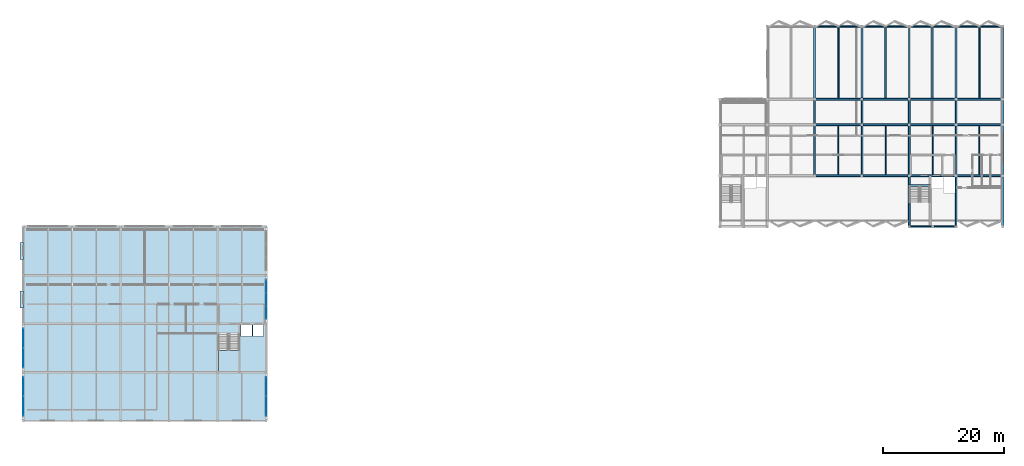
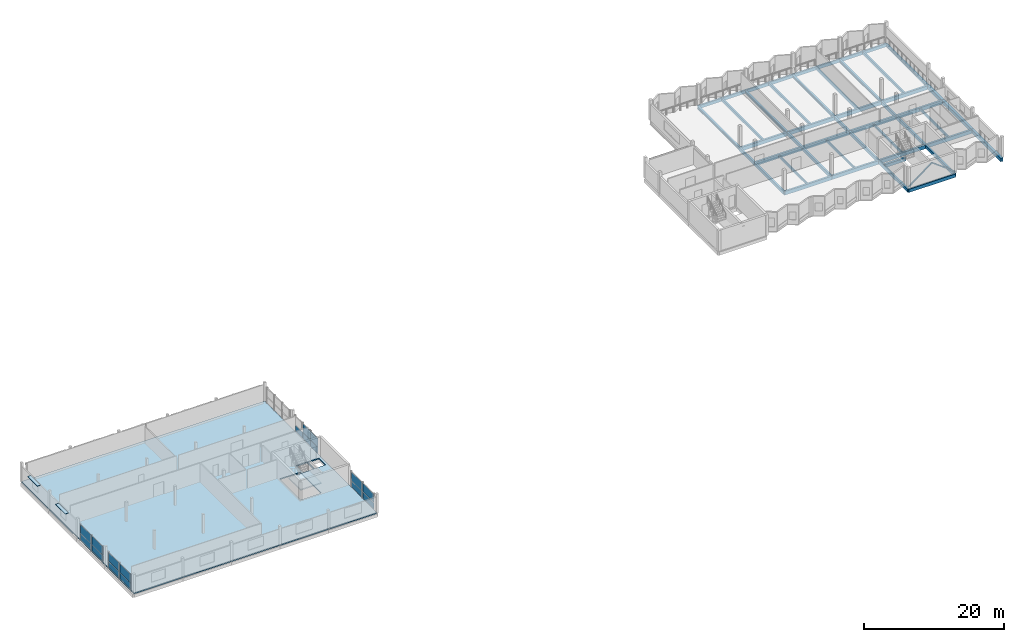
# One storey, part 9 of 22: 44 beams, 19 plates, 2 members, 2 slabs, 5 elements without a shape of their own.
"""IFC4 building model written with IfcOpenShell, lengths in metres."""

from ifc_helpers import new_model, si_unit, direction, frame, origin, origin_2d, place, context, subcontext, project, spatial, polyline, rectangle, hollow_rectangle, i_section, outline, extrude, material, layer, layer_set, material_profile, profile_set, type_object, element, aggregate, save


model = new_model("IFC4")

# Units and contexts
model_context = context("Model", 3, precision=1e-05, world=origin(), true_north=direction((0.0, 1.0)))
body_context = subcontext(model_context, "Body", "Model", "MODEL_VIEW")
ifc_project = project(units=[si_unit("LENGTHUNIT", "METRE"), si_unit("AREAUNIT", "SQUARE_METRE"), si_unit("VOLUMEUNIT", "CUBIC_METRE"), si_unit("PLANEANGLEUNIT", "RADIAN"), si_unit("MASSUNIT", "GRAM", prefix="KILO")], contexts=[model_context])

# Site, building, storey
site_placement = place(None, origin())
site = spatial("IfcSite", under=ifc_project, at=site_placement, CompositionType="ELEMENT")
building_placement = place(site_placement, origin())
building = spatial("IfcBuilding", under=site, at=building_placement, Name="Vharandega Faculty of Natural Sciences", CompositionType="ELEMENT")
storey_placement = place(building_placement, frame((0.0, 0.0, 28.800048828125)))
storey = spatial("IfcBuildingStorey", under=building, at=storey_placement, Name="L07", CompositionType="ELEMENT", Elevation=28.800048828125)

# Beams
ifc_material_1 = material(Name="Glulam GL28h", Category="wood")
ifc_material_profile_1 = material_profile(ifc_material_1, rectangle(XDim=0.280029296875, YDim=0.56005859375, at=origin_2d()), Name="GL28h 280x560")
ifc_profile_set_1 = profile_set([ifc_material_profile_1], Name="Glulam GL28h")
beam_type_1 = type_object("IfcBeamType", Name="Glulam Floor Beam 280x560", PredefinedType="BEAM", material=ifc_profile_set_1)
beam_1_placement = place(storey_placement, frame((130.39990234375, 72.39990234375, -0.5), z_axis=(0.0, 1.0, 0.0), x_axis=(-1.0, 0.0, 0.0)))
element("IfcBeam", 1, at=beam_1_placement, inside=storey, type_object=beam_type_1, Name="Beam L07 17/K-L", PredefinedType="BEAM", context=body_context, shape_type="SweptSolid", body=[
    extrude(rectangle(XDim=0.280029296875, YDim=0.56005859375, at=origin_2d()), origin(), (0.0, 0.0, 1.0), 8.400146484375),
])
beam_2_placement = place(storey_placement, frame((130.39990234375, 80.800048828125, -0.5), z_axis=(0.0, 1.0, 0.0), x_axis=(-1.0, 0.0, 0.0)))
element("IfcBeam", 2, at=beam_2_placement, inside=storey, type_object=beam_type_1, Name="Beam L07 17/L-M", PredefinedType="BEAM", context=body_context, shape_type="SweptSolid", body=[
    extrude(rectangle(XDim=0.280029296875, YDim=0.56005859375, at=origin_2d()), origin(), (0.0, 0.0, 1.0), 4.199951171875),
])
beam_3_placement = place(storey_placement, frame((138.199951171875, 72.39990234375, -0.5), z_axis=(0.0, 1.0, 0.0), x_axis=(-1.0, 0.0, 0.0)))
element("IfcBeam", 3, at=beam_3_placement, inside=storey, type_object=beam_type_1, Name="Beam L07 18/K-L", PredefinedType="BEAM", context=body_context, shape_type="SweptSolid", body=[
    extrude(rectangle(XDim=0.280029296875, YDim=0.56005859375, at=origin_2d()), origin(), (0.0, 0.0, 1.0), 8.400146484375),
])
beam_4_placement = place(storey_placement, frame((138.199951171875, 80.800048828125, -0.5), z_axis=(0.0, 1.0, 0.0), x_axis=(-1.0, 0.0, 0.0)))
element("IfcBeam", 4, at=beam_4_placement, inside=storey, type_object=beam_type_1, Name="Beam L07 18/L-M", PredefinedType="BEAM", context=body_context, shape_type="SweptSolid", body=[
    extrude(rectangle(XDim=0.280029296875, YDim=0.56005859375, at=origin_2d()), origin(), (0.0, 0.0, 1.0), 4.199951171875),
])
beam_5_placement = place(storey_placement, frame((146.0, 64.0, -0.5), z_axis=(0.0, 1.0, 0.0), x_axis=(-1.0, 0.0, 0.0)))
element("IfcBeam", 5, at=beam_5_placement, inside=storey, type_object=beam_type_1, Name="Beam L07 19/J-K", PredefinedType="BEAM", context=body_context, shape_type="SweptSolid", body=[
    extrude(rectangle(XDim=0.280029296875, YDim=0.56005859375, at=origin_2d()), origin(), (0.0, 0.0, 1.0), 8.39990234375),
])
beam_6_placement = place(storey_placement, frame((146.0, 72.39990234375, -0.5), z_axis=(0.0, 1.0, 0.0), x_axis=(-1.0, 0.0, 0.0)))
element("IfcBeam", 6, at=beam_6_placement, inside=storey, type_object=beam_type_1, Name="Beam L07 19/K-L", PredefinedType="BEAM", context=body_context, shape_type="SweptSolid", body=[
    extrude(rectangle(XDim=0.280029296875, YDim=0.56005859375, at=origin_2d()), origin(), (0.0, 0.0, 1.0), 8.400146484375),
])
beam_7_placement = place(storey_placement, frame((146.0, 80.800048828125, -0.5), z_axis=(0.0, 1.0, 0.0), x_axis=(-1.0, 0.0, 0.0)))
element("IfcBeam", 7, at=beam_7_placement, inside=storey, type_object=beam_type_1, Name="Beam L07 19/L-M", PredefinedType="BEAM", context=body_context, shape_type="SweptSolid", body=[
    extrude(rectangle(XDim=0.280029296875, YDim=0.56005859375, at=origin_2d()), origin(), (0.0, 0.0, 1.0), 4.199951171875),
])
beam_8_placement = place(storey_placement, frame((153.699951171875, 64.0, -0.5), z_axis=(0.0, 1.0, 0.0), x_axis=(-1.0, 0.0, 0.0)))
element("IfcBeam", 8, at=beam_8_placement, inside=storey, type_object=beam_type_1, Name="Beam L07 20/J-K", PredefinedType="BEAM", context=body_context, shape_type="SweptSolid", body=[
    extrude(rectangle(XDim=0.280029296875, YDim=0.56005859375, at=origin_2d()), origin(), (0.0, 0.0, 1.0), 8.39990234375),
])
beam_9_placement = place(storey_placement, frame((153.699951171875, 72.39990234375, -0.5), z_axis=(0.0, 1.0, 0.0), x_axis=(-1.0, 0.0, 0.0)))
element("IfcBeam", 9, at=beam_9_placement, inside=storey, type_object=beam_type_1, Name="Beam L07 20/K-L", PredefinedType="BEAM", context=body_context, shape_type="SweptSolid", body=[
    extrude(rectangle(XDim=0.280029296875, YDim=0.56005859375, at=origin_2d()), origin(), (0.0, 0.0, 1.0), 8.400146484375),
])
beam_10_placement = place(storey_placement, frame((153.699951171875, 80.800048828125, -0.5), z_axis=(0.0, 1.0, 0.0), x_axis=(-1.0, 0.0, 0.0)))
element("IfcBeam", 10, at=beam_10_placement, inside=storey, type_object=beam_type_1, Name="Beam L07 20/L-M", PredefinedType="BEAM", context=body_context, shape_type="SweptSolid", body=[
    extrude(rectangle(XDim=0.280029296875, YDim=0.56005859375, at=origin_2d()), origin(), (0.0, 0.0, 1.0), 4.199951171875),
])
ifc_material_2 = material(Name="Glulam GL28h", Category="wood")
ifc_material_profile_2 = material_profile(ifc_material_2, rectangle(XDim=0.320068359375, YDim=0.639892578125, at=origin_2d()), Name="GL28h 320x640")
ifc_profile_set_2 = profile_set([ifc_material_profile_2], Name="Glulam GL28h")
beam_type_2 = type_object("IfcBeamType", Name="Glulam Floor Beam 320x640", PredefinedType="BEAM", material=ifc_profile_set_2)
for number, where, z_axis, x_axis, name in (
    (11, (130.39990234375, 72.39990234375, -0.5400390625), (1.0, 0.0, 0.0), (0.0, 1.0, 0.0), "Beam L07 K/17-18"),
    (12, (138.199951171875, 72.39990234375, -0.5400390625), (1.0, 0.0, 0.0), (0.0, 1.0, 0.0), "Beam L07 K/18-19"),
):
    element("IfcBeam", number, at=place(storey_placement, frame(where, z_axis=z_axis, x_axis=x_axis)), inside=storey, type_object=beam_type_2, Name=name, PredefinedType="BEAM", context=body_context, shape_type="SweptSolid", body=[
        extrude(rectangle(XDim=0.320068359375, YDim=0.639892578125, at=origin_2d()), origin(), (0.0, 0.0, 1.0), 7.800048828125),
    ])
for number, where, z_axis, x_axis, name in (
    (13, (146.0, 72.39990234375, -0.5400390625), (1.0, 0.0, 0.0), (0.0, 1.0, 0.0), "Beam L07 K/19-20"),
    (14, (153.699951171875, 72.39990234375, -0.5400390625), (1.0, 0.0, 0.0), (0.0, 1.0, 0.0), "Beam L07 K/20-21"),
):
    element("IfcBeam", number, at=place(storey_placement, frame(where, z_axis=z_axis, x_axis=x_axis)), inside=storey, type_object=beam_type_2, Name=name, PredefinedType="BEAM", context=body_context, shape_type="SweptSolid", body=[
        extrude(rectangle(XDim=0.320068359375, YDim=0.639892578125, at=origin_2d()), origin(), (0.0, 0.0, 1.0), 7.699951171875),
    ])
for number, where, z_axis, x_axis, name in (
    (15, (130.39990234375, 80.800048828125, -0.5400390625), (1.0, 0.0, 0.0), (0.0, 1.0, 0.0), "Beam L07 L/17-18"),
    (16, (138.199951171875, 80.800048828125, -0.5400390625), (1.0, 0.0, 0.0), (0.0, 1.0, 0.0), "Beam L07 L/18-19"),
):
    element("IfcBeam", number, at=place(storey_placement, frame(where, z_axis=z_axis, x_axis=x_axis)), inside=storey, type_object=beam_type_2, Name=name, PredefinedType="BEAM", context=body_context, shape_type="SweptSolid", body=[
        extrude(rectangle(XDim=0.320068359375, YDim=0.639892578125, at=origin_2d()), origin(), (0.0, 0.0, 1.0), 7.800048828125),
    ])
for number, where, z_axis, x_axis, name in (
    (17, (146.0, 80.800048828125, -0.5400390625), (1.0, 0.0, 0.0), (0.0, 1.0, 0.0), "Beam L07 L/19-20"),
    (18, (153.699951171875, 80.800048828125, -0.5400390625), (1.0, 0.0, 0.0), (0.0, 1.0, 0.0), "Beam L07 L/20-21"),
):
    element("IfcBeam", number, at=place(storey_placement, frame(where, z_axis=z_axis, x_axis=x_axis)), inside=storey, type_object=beam_type_2, Name=name, PredefinedType="BEAM", context=body_context, shape_type="SweptSolid", body=[
        extrude(rectangle(XDim=0.320068359375, YDim=0.639892578125, at=origin_2d()), origin(), (0.0, 0.0, 1.0), 7.699951171875),
    ])
for number, where, z_axis, x_axis, name in (
    (19, (130.39990234375, 85.0, -0.5400390625), (1.0, 0.0, 0.0), (0.0, 1.0, 0.0), "Beam L07 M/17-18"),
    (20, (138.199951171875, 85.0, -0.5400390625), (1.0, 0.0, 0.0), (0.0, 1.0, 0.0), "Beam L07 M/18-19"),
):
    element("IfcBeam", number, at=place(storey_placement, frame(where, z_axis=z_axis, x_axis=x_axis)), inside=storey, type_object=beam_type_2, Name=name, PredefinedType="BEAM", context=body_context, shape_type="SweptSolid", body=[
        extrude(rectangle(XDim=0.320068359375, YDim=0.639892578125, at=origin_2d()), origin(), (0.0, 0.0, 1.0), 7.800048828125),
    ])
for number, where, z_axis, x_axis, name in (
    (21, (146.0, 85.0, -0.5400390625), (1.0, 0.0, 0.0), (0.0, 1.0, 0.0), "Beam L07 M/19-20"),
    (22, (153.699951171875, 85.0, -0.5400390625), (1.0, 0.0, 0.0), (0.0, 1.0, 0.0), "Beam L07 M/20-21"),
):
    element("IfcBeam", number, at=place(storey_placement, frame(where, z_axis=z_axis, x_axis=x_axis)), inside=storey, type_object=beam_type_2, Name=name, PredefinedType="BEAM", context=body_context, shape_type="SweptSolid", body=[
        extrude(rectangle(XDim=0.320068359375, YDim=0.639892578125, at=origin_2d()), origin(), (0.0, 0.0, 1.0), 7.699951171875),
    ])
ifc_material_3 = material(Name="Glulam GL28h", Category="wood")
ifc_material_profile_3 = material_profile(ifc_material_3, rectangle(XDim=0.199951171875, YDim=0.39990234375, at=origin_2d()), Name="GL28h 200x400")
ifc_profile_set_3 = profile_set([ifc_material_profile_3], Name="Glulam GL28h")
beam_type_3 = type_object("IfcBeamType", Name="Glulam Secondary Joist 200x400", PredefinedType="JOIST", material=ifc_profile_set_3)
for number, where, z_axis, x_axis, name in (
    (23, (134.300048828125, 72.56005859375, -0.420166015625), (0.0, 1.0, 0.0), (-1.0, 0.0, 0.0), "Secondary Joist L07 17-18/K-L"),
    (24, (142.10009765625, 72.56005859375, -0.420166015625), (0.0, 1.0, 0.0), (-1.0, 0.0, 0.0), "Secondary Joist L07 18-19/K-L"),
    (25, (149.85009765625, 72.56005859375, -0.420166015625), (0.0, 1.0, 0.0), (-1.0, 0.0, 0.0), "Secondary Joist L07 19-20/K-L"),
    (26, (157.550048828125, 72.56005859375, -0.420166015625), (0.0, 1.0, 0.0), (-1.0, 0.0, 0.0), "Secondary Joist L07 20-21/K-L"),
):
    element("IfcBeam", number, at=place(storey_placement, frame(where, z_axis=z_axis, x_axis=x_axis)), inside=storey, type_object=beam_type_3, Name=name, PredefinedType="JOIST", context=body_context, shape_type="SweptSolid", body=[
        extrude(rectangle(XDim=0.199951171875, YDim=0.39990234375, at=origin_2d()), origin(), (0.0, 0.0, 1.0), 8.079833984375),
    ])
ifc_material_4 = material(Name="Glulam GL28h", Category="wood")
ifc_material_profile_4 = material_profile(ifc_material_4, rectangle(XDim=0.239990234375, YDim=0.47998046875, at=origin_2d()), Name="GL28h 240x480")
ifc_profile_set_4 = profile_set([ifc_material_profile_4], Name="Glulam GL28h")
beam_type_4 = type_object("IfcBeamType", Name="Glulam Secondary Joist 240x480", PredefinedType="JOIST", material=ifc_profile_set_4)
for number, where, z_axis, x_axis, name in (
    (27, (134.300048828125, 85.159912109375, -0.4599609375), (0.0, 1.0, 0.0), (-1.0, 0.0, 0.0), "Secondary Joist L07 17-18/M-N"),
    (28, (142.10009765625, 85.159912109375, -0.4599609375), (0.0, 1.0, 0.0), (-1.0, 0.0, 0.0), "Secondary Joist L07 18-19/M-N"),
    (29, (149.85009765625, 85.159912109375, -0.4599609375), (0.0, 1.0, 0.0), (-1.0, 0.0, 0.0), "Secondary Joist L07 19-20/M-N"),
    (30, (157.550048828125, 85.159912109375, -0.4599609375), (0.0, 1.0, 0.0), (-1.0, 0.0, 0.0), "Secondary Joist L07 20-21/M-N"),
):
    element("IfcBeam", number, at=place(storey_placement, frame(where, z_axis=z_axis, x_axis=x_axis)), inside=storey, type_object=beam_type_4, Name=name, PredefinedType="JOIST", context=body_context, shape_type="SweptSolid", body=[
        extrude(rectangle(XDim=0.239990234375, YDim=0.47998046875, at=origin_2d()), origin(), (0.0, 0.0, 1.0), 11.719970703125),
    ])
ifc_material_5 = material(Name="Glulam GL28h", Category="wood")
ifc_material_profile_5 = material_profile(ifc_material_5, rectangle(XDim=0.239990234375, YDim=0.56005859375, at=origin_2d()), Name="GL28h 240x560")
ifc_profile_set_5 = profile_set([ifc_material_profile_5], Name="Glulam GL28h")
beam_type_5 = type_object("IfcBeamType", Name="Glulam Spandrel Edge Beam 240x560", PredefinedType="SPANDREL", material=ifc_profile_set_5)
beam_11_placement = place(storey_placement, frame((146.0, 64.0, -0.5), z_axis=(1.0, 0.0, 0.0), x_axis=(0.0, 1.0, 0.0)))
element("IfcBeam", 31, at=beam_11_placement, inside=storey, type_object=beam_type_5, Name="Beam L07 J/19-20", PredefinedType="SPANDREL", context=body_context, shape_type="SweptSolid", body=[
    extrude(rectangle(XDim=0.239990234375, YDim=0.56005859375, at=origin_2d()), origin(), (0.0, 0.0, 1.0), 7.699951171875),
])
for number, where, z_axis, x_axis, name in (
    (32, (130.39990234375, 97.0, -0.5), (1.0, 0.0, 0.0), (0.0, 1.0, 0.0), "Beam L07 N/17-18"),
    (33, (138.199951171875, 97.0, -0.5), (1.0, 0.0, 0.0), (0.0, 1.0, 0.0), "Beam L07 N/18-19"),
):
    element("IfcBeam", number, at=place(storey_placement, frame(where, z_axis=z_axis, x_axis=x_axis)), inside=storey, type_object=beam_type_5, Name=name, PredefinedType="SPANDREL", context=body_context, shape_type="SweptSolid", body=[
        extrude(rectangle(XDim=0.239990234375, YDim=0.56005859375, at=origin_2d()), origin(), (0.0, 0.0, 1.0), 7.800048828125),
    ])
for number, where, z_axis, x_axis, name in (
    (34, (146.0, 97.0, -0.5), (1.0, 0.0, 0.0), (0.0, 1.0, 0.0), "Beam L07 N/19-20"),
    (35, (153.699951171875, 97.0, -0.5), (1.0, 0.0, 0.0), (0.0, 1.0, 0.0), "Beam L07 N/20-21"),
):
    element("IfcBeam", number, at=place(storey_placement, frame(where, z_axis=z_axis, x_axis=x_axis)), inside=storey, type_object=beam_type_5, Name=name, PredefinedType="SPANDREL", context=body_context, shape_type="SweptSolid", body=[
        extrude(rectangle(XDim=0.239990234375, YDim=0.56005859375, at=origin_2d()), origin(), (0.0, 0.0, 1.0), 7.699951171875),
    ])
ifc_material_6 = material(Name="Glulam GL32h", Category="wood")
ifc_material_profile_6 = material_profile(ifc_material_6, rectangle(XDim=0.39990234375, YDim=0.60009765625, at=origin_2d()), Name="GL32h 400x600")
ifc_profile_set_6 = profile_set([ifc_material_profile_6], Name="Glulam GL32h")
beam_type_6 = type_object("IfcBeamType", Name="Glulam Spine Girder 400x600", PredefinedType="BEAM", material=ifc_profile_set_6)
beam_12_placement = place(storey_placement, frame((161.39990234375, 64.0, -0.52001953125), z_axis=(0.0, 1.0, 0.0), x_axis=(-1.0, 0.0, 0.0)))
element("IfcBeam", 36, at=beam_12_placement, inside=storey, type_object=beam_type_6, Name="Beam L07 21/J-K", PredefinedType="BEAM", context=body_context, shape_type="SweptSolid", body=[
    extrude(rectangle(XDim=0.39990234375, YDim=0.60009765625, at=origin_2d()), origin(), (0.0, 0.0, 1.0), 8.39990234375),
])
beam_13_placement = place(storey_placement, frame((161.39990234375, 72.39990234375, -0.52001953125), z_axis=(0.0, 1.0, 0.0), x_axis=(-1.0, 0.0, 0.0)))
element("IfcBeam", 37, at=beam_13_placement, inside=storey, type_object=beam_type_6, Name="Beam L07 21/K-L", PredefinedType="BEAM", context=body_context, shape_type="SweptSolid", body=[
    extrude(rectangle(XDim=0.39990234375, YDim=0.60009765625, at=origin_2d()), origin(), (0.0, 0.0, 1.0), 8.400146484375),
])
beam_14_placement = place(storey_placement, frame((161.39990234375, 80.800048828125, -0.52001953125), z_axis=(0.0, 1.0, 0.0), x_axis=(-1.0, 0.0, 0.0)))
element("IfcBeam", 38, at=beam_14_placement, inside=storey, type_object=beam_type_6, Name="Beam L07 21/L-M", PredefinedType="BEAM", context=body_context, shape_type="SweptSolid", body=[
    extrude(rectangle(XDim=0.39990234375, YDim=0.60009765625, at=origin_2d()), origin(), (0.0, 0.0, 1.0), 4.199951171875),
])
ifc_material_7 = material(Name="Concrete C40/50", Category="concrete")
ifc_material_profile_7 = material_profile(ifc_material_7, rectangle(XDim=0.35009765625, YDim=0.550048828125, at=origin_2d()), Name="RC 350x550")
ifc_profile_set_7 = profile_set([ifc_material_profile_7], Name="Concrete C40/50")
beam_type_7 = type_object("IfcBeamType", Name="Stair Header Trimmer Beam 350x550", PredefinedType="BEAM", material=ifc_profile_set_7)
beam_15_placement = place(storey_placement, frame((146.0, 70.800048828125, -0.275146484375), z_axis=(1.0, 0.0, 0.0), x_axis=(0.0, 1.0, 0.0)))
element("IfcBeam", 39, at=beam_15_placement, inside=storey, type_object=beam_type_7, Name="Stair Landing Trimmer Beam C2 L07", PredefinedType="BEAM", context=body_context, shape_type="SweptSolid", body=[
    extrude(rectangle(XDim=0.35009765625, YDim=0.550048828125, at=origin_2d()), origin(), (0.0, 0.0, 1.0), 3.4599609375),
])
ifc_material_8 = material(Name="Steel S355", Category="steel")
ifc_material_profile_8 = material_profile(ifc_material_8, i_section(OverallWidth=0.300048828125, OverallDepth=0.5, WebThickness=0.014404296875, FlangeThickness=0.028076171875, FilletRadius=0.027099609375, at=origin_2d()), Name="HEB 500")
ifc_profile_set_8 = profile_set([ifc_material_profile_8], Name="Steel S355")
beam_type_8 = type_object("IfcBeamType", Name="Steel Collector Beam HEB 500", PredefinedType="BEAM", material=ifc_profile_set_8)
for number, where, z_axis, x_axis, name in (
    (40, (130.39990234375, 85.0, -0.469970703125), (0.0, 1.0, 0.0), (-1.0, 0.0, 0.0), "Beam L07 17/M-N"),
    (41, (138.199951171875, 85.0, -0.469970703125), (0.0, 1.0, 0.0), (-1.0, 0.0, 0.0), "Beam L07 18/M-N"),
    (42, (146.0, 85.0, -0.469970703125), (0.0, 1.0, 0.0), (-1.0, 0.0, 0.0), "Beam L07 19/M-N"),
    (43, (153.699951171875, 85.0, -0.469970703125), (0.0, 1.0, 0.0), (-1.0, 0.0, 0.0), "Beam L07 20/M-N"),
    (44, (161.39990234375, 85.0, -0.469970703125), (0.0, 1.0, 0.0), (-1.0, 0.0, 0.0), "Beam L07 21/M-N"),
):
    element("IfcBeam", number, at=place(storey_placement, frame(where, z_axis=z_axis, x_axis=x_axis)), inside=storey, type_object=beam_type_8, Name=name, PredefinedType="BEAM", context=body_context, shape_type="SweptSolid", body=[
        extrude(i_section(OverallWidth=0.300048828125, OverallDepth=0.5, WebThickness=0.014404296875, FlangeThickness=0.028076171875, FilletRadius=0.027099609375, at=origin_2d()), origin(), (0.0, 0.0, 1.0), 12.0),
    ])

# Members
ifc_material_9 = material(Name="Steel S355", Category="steel")
ifc_material_profile_9 = material_profile(ifc_material_9, hollow_rectangle(XDim=0.179931640625, YDim=0.179931640625, WallThickness=0.010009765625, at=origin_2d()), Name="SHS 180x180x10")
ifc_profile_set_9 = profile_set([ifc_material_profile_9], Name="Steel S355")
member_type = type_object("IfcMemberType", Name="Timber Frame Diagonal Brace SHS 180", PredefinedType="BRACE", material=ifc_profile_set_9)
member_1_placement = place(storey_placement, frame((146.0, 64.0, 0.14990234375), z_axis=(0.800742751505, 0.0, 0.599008385511), x_axis=(0.0, 1.0, 0.0)))
element("IfcMember", 45, at=member_1_placement, inside=storey, type_object=member_type, Name="Chevron Brace J2 L07-1", PredefinedType="BRACE", context=body_context, shape_type="SweptSolid", body=[
    extrude(hollow_rectangle(XDim=0.179931640625, YDim=0.179931640625, WallThickness=0.010009765625, at=origin_2d()), origin(), (0.0, 0.0, 1.0), 4.80810546875),
])
member_2_placement = place(storey_placement, frame((153.699951171875, 64.0, 0.14990234375), z_axis=(-0.800724531285, 0.0, 0.599032741174), x_axis=(0.0, -1.0, 0.0)))
element("IfcMember", 46, at=member_2_placement, inside=storey, type_object=member_type, Name="Chevron Brace J2 L07-2", PredefinedType="BRACE", context=body_context, shape_type="SweptSolid", body=[
    extrude(hollow_rectangle(XDim=0.179931640625, YDim=0.179931640625, WallThickness=0.010009765625, at=origin_2d()), origin(), (0.0, 0.0, 1.0), 4.807861328125),
])

# Curtain wall, plates
ifc_material_10 = material(Name="Aluminium and solar-control glass curtain wall", Category="aluminium")
curtain_wall_type_1 = type_object("IfcCurtainWallType", Name="Unitised Curtain Wall System CW-02", PredefinedType="NOTDEFINED", material=ifc_material_10)
curtain_wall_1_placement = place(storey_placement, origin())
curtain_wall_1 = element("IfcCurtainWall", 47, at=curtain_wall_1_placement, inside=storey, type_object=curtain_wall_type_1, Name="Curtain Wall CW-L07-225", PredefinedType="NOTDEFINED")
ifc_material_11 = material(Name="Double-glazed low-E solar glass", Category="glass")
ifc_layer_1 = layer(ifc_material_11, 0.028076171875, Name="Double-glazed low-E solar glass")
ifc_layer_set_1 = layer_set([ifc_layer_1], Name="Double-glazed low-E solar glass")
plate_type_1 = type_object("IfcPlateType", Name="CW Solar Vision Panel 28mm", PredefinedType="CURTAIN_PANEL", material=ifc_layer_set_1)
plate_1_placement = place(storey_placement, frame((0.0, 34.385009765625, 0.06005859375), z_axis=(0.0, 0.0, 1.0), x_axis=(0.0, 1.0, 0.0)))
plate_1 = element("IfcPlate", 48, at=plate_1_placement, type_object=plate_type_1, Name="CW-02 panel 1.1", PredefinedType="CURTAIN_PANEL", context=body_context, shape_type="SweptSolid", body=[
    extrude(rectangle(XDim=3.169921875, YDim=0.028076171875, at=origin_2d()), origin(), (0.0, 0.0, 1.0), 1.060791015625),
])
plate_2_placement = place(storey_placement, frame((0.0, 34.385009765625, 1.1806640625), z_axis=(0.0, 0.0, 1.0), x_axis=(0.0, 1.0, 0.0)))
plate_2 = element("IfcPlate", 49, at=plate_2_placement, type_object=plate_type_1, Name="CW-02 panel 1.2", PredefinedType="CURTAIN_PANEL", context=body_context, shape_type="SweptSolid", body=[
    extrude(rectangle(XDim=3.169921875, YDim=0.028076171875, at=origin_2d()), origin(), (0.0, 0.0, 1.0), 1.499267578125),
])
plate_3_placement = place(storey_placement, frame((0.0, 37.614990234375, 0.06005859375), z_axis=(0.0, 0.0, 1.0), x_axis=(0.0, 1.0, 0.0)))
plate_3 = element("IfcPlate", 50, at=plate_3_placement, type_object=plate_type_1, Name="CW-02 panel 2.1", PredefinedType="CURTAIN_PANEL", context=body_context, shape_type="SweptSolid", body=[
    extrude(rectangle(XDim=3.169921875, YDim=0.028076171875, at=origin_2d()), origin(), (0.0, 0.0, 1.0), 1.060791015625),
])
plate_4_placement = place(storey_placement, frame((0.0, 37.614990234375, 1.1806640625), z_axis=(0.0, 0.0, 1.0), x_axis=(0.0, 1.0, 0.0)))
plate_4 = element("IfcPlate", 51, at=plate_4_placement, type_object=plate_type_1, Name="CW-02 panel 2.2", PredefinedType="CURTAIN_PANEL", context=body_context, shape_type="SweptSolid", body=[
    extrude(rectangle(XDim=3.169921875, YDim=0.028076171875, at=origin_2d()), origin(), (0.0, 0.0, 1.0), 1.499267578125),
])
aggregate(curtain_wall_1, [plate_1, plate_2, plate_3, plate_4])

ifc_material_12 = material(Name="Aluminium and solar-control glass curtain wall", Category="aluminium")
curtain_wall_type_2 = type_object("IfcCurtainWallType", Name="Unitised Curtain Wall System CW-03", PredefinedType="NOTDEFINED", material=ifc_material_12)
curtain_wall_2_placement = place(storey_placement, origin())
curtain_wall_2 = element("IfcCurtainWall", 52, at=curtain_wall_2_placement, inside=storey, type_object=curtain_wall_type_2, Name="Curtain Wall CW-L07-226", PredefinedType="NOTDEFINED")
plate_5_placement = place(storey_placement, frame((0.0, 42.385009765625, 0.06005859375), z_axis=(0.0, 0.0, 1.0), x_axis=(0.0, 1.0, 0.0)))
plate_5 = element("IfcPlate", 53, at=plate_5_placement, type_object=plate_type_1, Name="CW-03 panel 1.1", PredefinedType="CURTAIN_PANEL", context=body_context, shape_type="SweptSolid", body=[
    extrude(rectangle(XDim=3.169921875, YDim=0.028076171875, at=origin_2d()), origin(), (0.0, 0.0, 1.0), 1.060791015625),
])
plate_6_placement = place(storey_placement, frame((0.0, 42.385009765625, 1.1806640625), z_axis=(0.0, 0.0, 1.0), x_axis=(0.0, 1.0, 0.0)))
plate_6 = element("IfcPlate", 54, at=plate_6_placement, type_object=plate_type_1, Name="CW-03 panel 1.2", PredefinedType="CURTAIN_PANEL", context=body_context, shape_type="SweptSolid", body=[
    extrude(rectangle(XDim=3.169921875, YDim=0.028076171875, at=origin_2d()), origin(), (0.0, 0.0, 1.0), 1.499267578125),
])
plate_7_placement = place(storey_placement, frame((0.0, 45.614990234375, 0.06005859375), z_axis=(0.0, 0.0, 1.0), x_axis=(0.0, 1.0, 0.0)))
plate_7 = element("IfcPlate", 55, at=plate_7_placement, type_object=plate_type_1, Name="CW-03 panel 2.1", PredefinedType="CURTAIN_PANEL", context=body_context, shape_type="SweptSolid", body=[
    extrude(rectangle(XDim=3.169921875, YDim=0.028076171875, at=origin_2d()), origin(), (0.0, 0.0, 1.0), 1.060791015625),
])
plate_8_placement = place(storey_placement, frame((0.0, 45.614990234375, 1.1806640625), z_axis=(0.0, 0.0, 1.0), x_axis=(0.0, 1.0, 0.0)))
plate_8 = element("IfcPlate", 56, at=plate_8_placement, type_object=plate_type_1, Name="CW-03 panel 2.2", PredefinedType="CURTAIN_PANEL", context=body_context, shape_type="SweptSolid", body=[
    extrude(rectangle(XDim=3.169921875, YDim=0.028076171875, at=origin_2d()), origin(), (0.0, 0.0, 1.0), 1.499267578125),
])
aggregate(curtain_wall_2, [plate_5, plate_6, plate_7, plate_8])

ifc_material_13 = material(Name="Aluminium and solar-control glass curtain wall", Category="aluminium")
curtain_wall_type_3 = type_object("IfcCurtainWallType", Name="Unitised Curtain Wall System CW-04", PredefinedType="NOTDEFINED", material=ifc_material_13)
curtain_wall_3_placement = place(storey_placement, origin())
curtain_wall_3 = element("IfcCurtainWall", 57, at=curtain_wall_3_placement, inside=storey, type_object=curtain_wall_type_3, Name="Curtain Wall CW-L07-227", PredefinedType="NOTDEFINED")
plate_9_placement = place(storey_placement, frame((40.0, 34.385009765625, 0.06005859375), z_axis=(0.0, 0.0, 1.0), x_axis=(0.0, 1.0, 0.0)))
plate_9 = element("IfcPlate", 58, at=plate_9_placement, type_object=plate_type_1, Name="CW-04 panel 1.1", PredefinedType="CURTAIN_PANEL", context=body_context, shape_type="SweptSolid", body=[
    extrude(rectangle(XDim=3.169921875, YDim=0.028076171875, at=origin_2d()), origin(), (0.0, 0.0, 1.0), 1.060791015625),
])
plate_10_placement = place(storey_placement, frame((40.0, 34.385009765625, 1.1806640625), z_axis=(0.0, 0.0, 1.0), x_axis=(0.0, 1.0, 0.0)))
plate_10 = element("IfcPlate", 59, at=plate_10_placement, type_object=plate_type_1, Name="CW-04 panel 1.2", PredefinedType="CURTAIN_PANEL", context=body_context, shape_type="SweptSolid", body=[
    extrude(rectangle(XDim=3.169921875, YDim=0.028076171875, at=origin_2d()), origin(), (0.0, 0.0, 1.0), 1.499267578125),
])
plate_11_placement = place(storey_placement, frame((40.0, 37.614990234375, 0.06005859375), z_axis=(0.0, 0.0, 1.0), x_axis=(0.0, 1.0, 0.0)))
plate_11 = element("IfcPlate", 60, at=plate_11_placement, type_object=plate_type_1, Name="CW-04 panel 2.1", PredefinedType="CURTAIN_PANEL", context=body_context, shape_type="SweptSolid", body=[
    extrude(rectangle(XDim=3.169921875, YDim=0.028076171875, at=origin_2d()), origin(), (0.0, 0.0, 1.0), 1.060791015625),
])
plate_12_placement = place(storey_placement, frame((40.0, 37.614990234375, 1.1806640625), z_axis=(0.0, 0.0, 1.0), x_axis=(0.0, 1.0, 0.0)))
plate_12 = element("IfcPlate", 61, at=plate_12_placement, type_object=plate_type_1, Name="CW-04 panel 2.2", PredefinedType="CURTAIN_PANEL", context=body_context, shape_type="SweptSolid", body=[
    extrude(rectangle(XDim=3.169921875, YDim=0.028076171875, at=origin_2d()), origin(), (0.0, 0.0, 1.0), 1.499267578125),
])
aggregate(curtain_wall_3, [plate_9, plate_10, plate_11, plate_12])

ifc_material_14 = material(Name="Aluminium and solar-control glass curtain wall", Category="aluminium")
curtain_wall_type_4 = type_object("IfcCurtainWallType", Name="Unitised Curtain Wall System CW-05", PredefinedType="NOTDEFINED", material=ifc_material_14)
curtain_wall_4_placement = place(storey_placement, origin())
curtain_wall_4 = element("IfcCurtainWall", 62, at=curtain_wall_4_placement, inside=storey, type_object=curtain_wall_type_4, Name="Curtain Wall CW-L07-228", PredefinedType="NOTDEFINED")
plate_13_placement = place(storey_placement, frame((40.0, 49.841552734375, 0.06005859375), z_axis=(0.0, 0.0, 1.0), x_axis=(0.0, 1.0, 0.0)))
plate_13 = element("IfcPlate", 63, at=plate_13_placement, type_object=plate_type_1, Name="CW-05 panel 1.1", PredefinedType="CURTAIN_PANEL", context=body_context, shape_type="SweptSolid", body=[
    extrude(rectangle(XDim=2.083251953125, YDim=0.028076171875, at=origin_2d()), origin(), (0.0, 0.0, 1.0), 1.060791015625),
])
plate_14_placement = place(storey_placement, frame((40.0, 49.841552734375, 1.1806640625), z_axis=(0.0, 0.0, 1.0), x_axis=(0.0, 1.0, 0.0)))
plate_14 = element("IfcPlate", 64, at=plate_14_placement, type_object=plate_type_1, Name="CW-05 panel 1.2", PredefinedType="CURTAIN_PANEL", context=body_context, shape_type="SweptSolid", body=[
    extrude(rectangle(XDim=2.083251953125, YDim=0.028076171875, at=origin_2d()), origin(), (0.0, 0.0, 1.0), 1.499267578125),
])
plate_15_placement = place(storey_placement, frame((40.0, 52.0, 0.06005859375), z_axis=(0.0, 0.0, 1.0), x_axis=(0.0, 1.0, 0.0)))
plate_15 = element("IfcPlate", 65, at=plate_15_placement, type_object=plate_type_1, Name="CW-05 panel 2.1", PredefinedType="CURTAIN_PANEL", context=body_context, shape_type="SweptSolid", body=[
    extrude(rectangle(XDim=2.11328125, YDim=0.028076171875, at=origin_2d()), origin(), (0.0, 0.0, 1.0), 1.060791015625),
])
plate_16_placement = place(storey_placement, frame((40.0, 52.0, 1.1806640625), z_axis=(0.0, 0.0, 1.0), x_axis=(0.0, 1.0, 0.0)))
plate_16 = element("IfcPlate", 66, at=plate_16_placement, type_object=plate_type_1, Name="CW-05 panel 2.2", PredefinedType="CURTAIN_PANEL", context=body_context, shape_type="SweptSolid", body=[
    extrude(rectangle(XDim=2.11328125, YDim=0.028076171875, at=origin_2d()), origin(), (0.0, 0.0, 1.0), 1.499267578125),
])
plate_17_placement = place(storey_placement, frame((40.0, 54.158447265625, 0.06005859375), z_axis=(0.0, 0.0, 1.0), x_axis=(0.0, 1.0, 0.0)))
plate_17 = element("IfcPlate", 67, at=plate_17_placement, type_object=plate_type_1, Name="CW-05 panel 3.1", PredefinedType="CURTAIN_PANEL", context=body_context, shape_type="SweptSolid", body=[
    extrude(rectangle(XDim=2.083251953125, YDim=0.028076171875, at=origin_2d()), origin(), (0.0, 0.0, 1.0), 1.060791015625),
])
aggregate(curtain_wall_4, [plate_13, plate_14, plate_15, plate_16, plate_17])

# Plates
ifc_material_15 = material(Name="Aluminium solar hood sheet", Category="aluminium")
ifc_layer_2 = layer(ifc_material_15, 0.0400390625, Name="Aluminium solar hood sheet")
ifc_layer_set_2 = layer_set([ifc_layer_2], Name="Aluminium solar hood sheet")
plate_type_2 = type_object("IfcPlateType", Name="North Solar Hood Sheet Plate 40", PredefinedType="SHEET", material=ifc_layer_set_2)
for number, where, z_axis, x_axis, name in (
    (68, (-0.280029296875, 52.0, 2.599853515625), (0.0, 0.0, 1.0), (1.0, 0.0, 0.0), "Solar Shading Hood L07 G"),
    (69, (-0.280029296875, 60.0, 2.599853515625), (0.0, 0.0, 1.0), (1.0, 0.0, 0.0), "Solar Shading Hood L07 H"),
):
    element("IfcPlate", number, at=place(storey_placement, frame(where, z_axis=z_axis, x_axis=x_axis)), inside=storey, type_object=plate_type_2, Name=name, PredefinedType="SHEET", context=body_context, shape_type="SweptSolid", body=[
        extrude(rectangle(XDim=0.56005859375, YDim=2.800048828125, at=origin_2d()), origin(), (0.0, 0.0, 1.0), 0.0400390625),
    ])

# Slab
ifc_material_16 = material(Name="Cross-laminated timber CLT5-180", Category="wood")
ifc_layer_3 = layer(ifc_material_16, 0.199951171875, Name="Cross-laminated timber CLT5-180")
ifc_layer_set_3 = layer_set([ifc_layer_3], Name="Cross-laminated timber CLT5-180")
slab_type_1 = type_object("IfcSlabType", Name="SLAB-CLT-200", PredefinedType="FLOOR", material=ifc_layer_set_3)
slab_1_placement = place(storey_placement, frame((0.0, 0.0, -0.199951171875)))
element("IfcSlab", 70, at=slab_1_placement, inside=storey, type_object=slab_type_1, Name="L07 V5 Floor Slab", PredefinedType="FLOOR", context=body_context, shape_type="SweptSolid", body=[
    extrude(outline(polyline([(0.0, 32.0), (40.0, 32.0), (40.0, 64.0), (0.0, 64.0), (0.0, 32.0)]), holes=[polyline([(32.139892578125, 46.14501953125), (32.139892578125, 40.139892578125), (35.56005859375, 40.139892578125), (35.56005859375, 46.14501953125), (32.139892578125, 46.14501953125)]), polyline([(35.85009765625, 45.89990234375), (37.64990234375, 45.89990234375), (37.64990234375, 47.820068359375), (35.85009765625, 47.820068359375), (35.85009765625, 45.89990234375)]), polyline([(37.800048828125, 45.89990234375), (39.60009765625, 45.89990234375), (39.60009765625, 47.820068359375), (37.800048828125, 47.820068359375), (37.800048828125, 45.89990234375)])]), origin(), (0.0, 0.0, 1.0), 0.199951171875),
])

# Stair, slab
ifc_material_17 = material(Name="Concrete C40/50", Category="concrete")
stair_type = type_object("IfcStairType", Name="Escape Dog-Leg Stair W165 H360", PredefinedType="HALF_TURN_STAIR", material=ifc_material_17)
stair_placement = place(storey_placement, origin())
stair = element("IfcStair", 71, at=stair_placement, inside=storey, type_object=stair_type, Name="L07 Escape Stair ST3", PredefinedType="HALF_TURN_STAIR")
ifc_material_18 = material(Name="Concrete C40/50", Category="concrete")
ifc_layer_4 = layer(ifc_material_18, 0.199951171875, Name="Concrete C40/50")
ifc_layer_set_4 = layer_set([ifc_layer_4], Name="Concrete C40/50")
slab_type_2 = type_object("IfcSlabType", Name="Stair Half-Landing Slab 200", PredefinedType="LANDING", material=ifc_layer_set_4)
slab_2_placement = place(storey_placement, frame((0.0, 0.0, 1.599853515625)))
slab_2 = element("IfcSlab", 72, at=slab_2_placement, type_object=slab_type_2, Name="ST3 landing 1", PredefinedType="LANDING", context=body_context, shape_type="SweptSolid", body=[
    extrude(outline(polyline([(32.139892578125, 43.60009765625), (32.139892578125, 40.139892578125), (35.56005859375, 40.139892578125), (35.56005859375, 43.60009765625), (32.139892578125, 43.60009765625)])), origin(), (0.0, 0.0, 1.0), 0.2001953125),
])
aggregate(stair, [slab_2])

save(model, "model.ifc")
